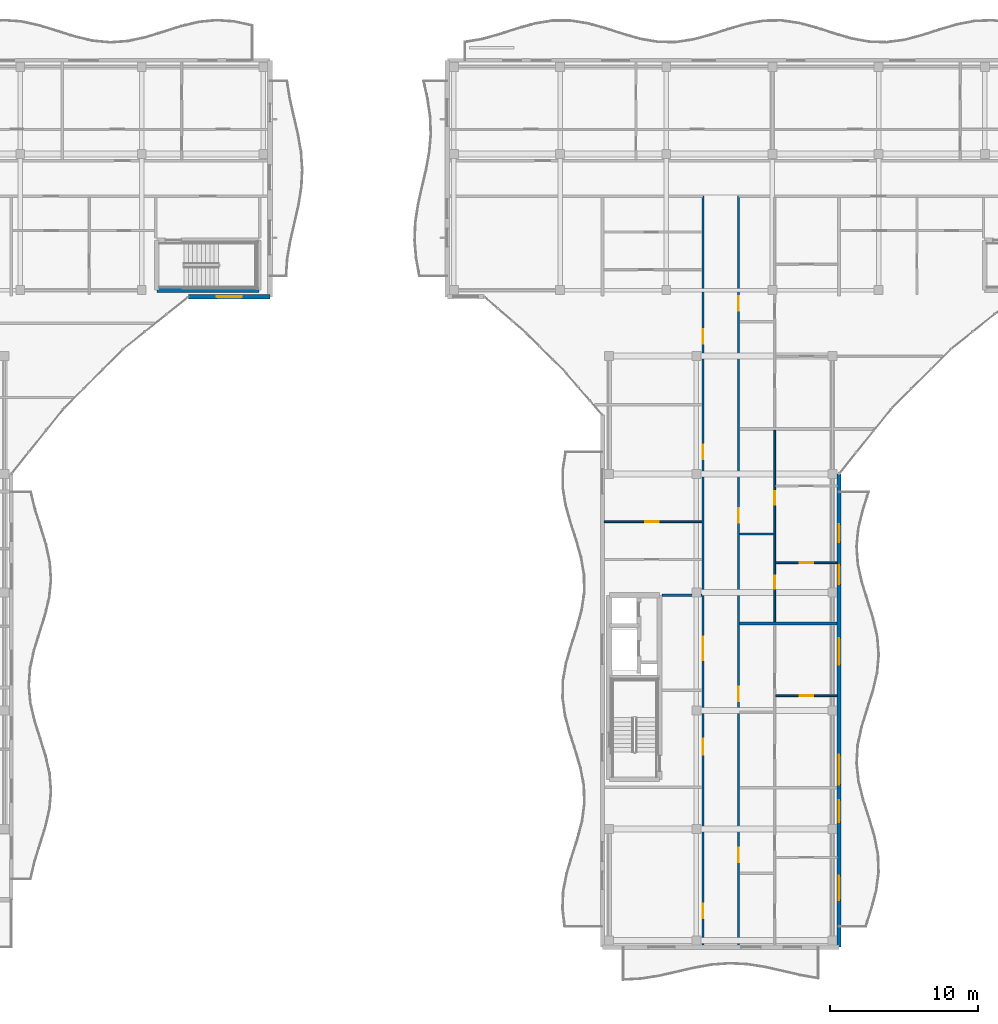
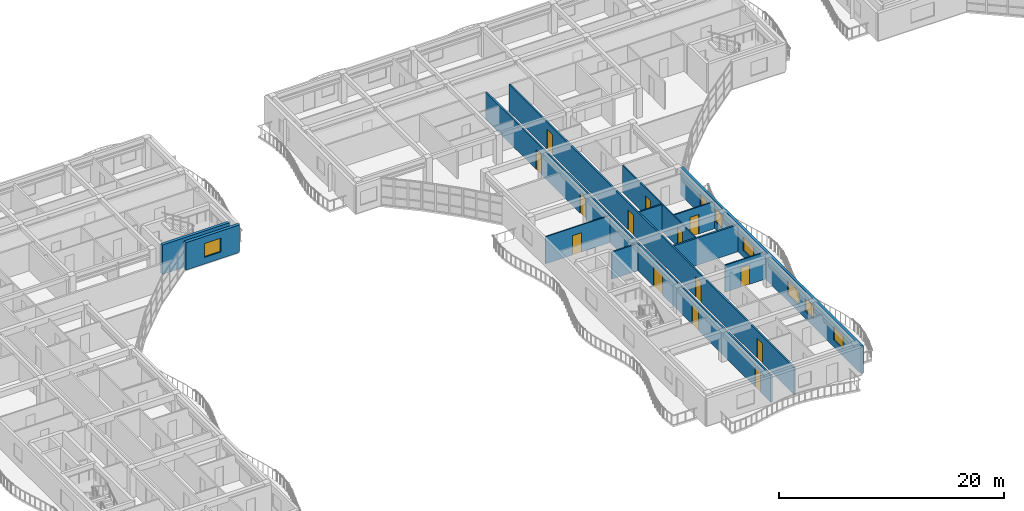
# One storey, part 38 of 71: 15 doors, 12 walls, 6 windows, 21 openings.
"""IFC4 building model written with IfcOpenShell, lengths in metres."""

from ifc_helpers import new_model, si_unit, direction, frame, frame_2d, origin, place, context, subcontext, project, spatial, rectangle, extrude, material, layer, layer_set, type_object, element, fill, save


model = new_model("IFC4")

# Units and contexts
model_context = context("Model", 3, precision=1e-05, world=origin(), true_north=direction((0.0, 1.0)))
body_context = subcontext(model_context, "Body", "Model", "MODEL_VIEW")
ifc_project = project(units=[si_unit("LENGTHUNIT", "METRE"), si_unit("AREAUNIT", "SQUARE_METRE"), si_unit("VOLUMEUNIT", "CUBIC_METRE"), si_unit("PLANEANGLEUNIT", "RADIAN"), si_unit("MASSUNIT", "GRAM", prefix="KILO")], contexts=[model_context])

# Site, building, storey
site_placement = place(None, origin())
site = spatial("IfcSite", under=ifc_project, at=site_placement, CompositionType="ELEMENT")
building_placement = place(site_placement, origin())
building = spatial("IfcBuilding", under=site, at=building_placement, Name="Keldmere Railside Commons", CompositionType="ELEMENT")
storey_placement = place(building_placement, frame((0.0, 0.0, 20.159912109375)))
storey = spatial("IfcBuildingStorey", under=building, at=storey_placement, Name="L06", CompositionType="ELEMENT", Elevation=20.159912109375)

# Wall
ifc_material_1 = material(Name="Acoustic Gypsum Board Partition", Category="gypsum")
ifc_layer_1 = layer(ifc_material_1, 0.179931640625, Name="Acoustic Demising Partition 180")
ifc_layer_set_1 = layer_set([ifc_layer_1], Name="Acoustic Gypsum Board Partition")
wall_type_1 = type_object("IfcWallType", Name="Acoustic Demising Partition 180", PredefinedType="PARTITIONING", material=ifc_layer_set_1)
wall_1_placement = place(storey_placement, frame((113.280029296875, 77.89990234375, 0.0), z_axis=(0.0, 0.0, 1.0), x_axis=(1.0, 0.0, 0.0)))
element("IfcWall", 1, at=wall_1_placement, inside=storey, type_object=wall_type_1, Name="IW-1 IW-L06-1153", PredefinedType="PARTITIONING", context=body_context, shape_type="SweptSolid", body=[
    extrude(rectangle(XDim=6.590087890625, YDim=0.179931640625, at=frame_2d((3.294921875, 0.0))), origin(), (0.0, 0.0, 1.0), 2.93505859375),
])

# Wall, opening, door
ifc_layer_2 = layer(ifc_material_1, 0.1201171875, Name="Apartment Interior Partition 120")
ifc_layer_set_2 = layer_set([ifc_layer_2], Name="Acoustic Gypsum Board Partition")
wall_type_2 = type_object("IfcWallType", Name="Apartment Interior Partition 120", PredefinedType="PARTITIONING", material=ifc_layer_set_2)
wall_2_placement = place(storey_placement, frame((115.719970703125, 73.0, 0.0), z_axis=(0.0, 0.0, 1.0), x_axis=(1.0, 0.0, 0.0)))
wall_2 = element("IfcWall", 2, at=wall_2_placement, inside=storey, type_object=wall_type_2, Name="IW-4 IW-L06-1160", PredefinedType="PARTITIONING", context=body_context, shape_type="SweptSolid", body=[
    extrude(rectangle(XDim=4.150146484375, YDim=0.1201171875, at=frame_2d((2.0751953125, 0.0))), origin(), (0.0, 0.0, 1.0), 2.93505859375),
])
opening_1_placement = place(wall_2_placement, frame((1.625, 0.0, 0.0)))
opening_1 = element("IfcOpeningElement", 3, at=opening_1_placement, cuts=wall_2, Name="Opening ID-01", PredefinedType="OPENING", context=body_context, shape_type="SweptSolid", body=[
    extrude(rectangle(XDim=0.89990234375, YDim=2.10009765625, at=frame_2d((0.449951171875, 1.050048828125))), frame((0.0, 0.070068359375, 0.0), z_axis=(0.0, -1.0, 0.0), x_axis=(1.0, 0.0, 0.0)), (0.0, 0.0, 1.0), 0.14013671875),
])
ifc_material_2 = material(Name="Engineered Oak Timber", Category="wood")
door_type_1 = type_object("IfcDoorType", Name="Primary Bedroom Door 900x2100", OperationType="NOTDEFINED", PredefinedType="DOOR", material=ifc_material_2)
door_1_placement = place(opening_1_placement, origin())
door_1 = element("IfcDoor", 4, at=door_1_placement, inside=storey, type_object=door_type_1, Name="ID-01 IDR-L06-1022", OperationType="SINGLE_SWING_RIGHT", OverallHeight=2.10009765625, OverallWidth=0.89990234375, PredefinedType="DOOR", context=body_context, shape_type="SweptSolid", body=[
    extrude(rectangle(XDim=0.89990234375, YDim=2.10009765625, at=frame_2d((0.449951171875, 1.050048828125))), frame((0.0, 0.02490234375, 0.0), z_axis=(0.0, -1.0, 0.0), x_axis=(1.0, 0.0, 0.0)), (0.0, 0.0, 1.0), 0.050048828125),
])
fill(opening_1, door_1)

# Wall, openings, doors
wall_3_placement = place(storey_placement, frame((115.659912109375, 77.989990234375, 0.0), z_axis=(0.0, 0.0, 1.0), x_axis=(0.0, 1.0, 0.0)))
wall_3 = element("IfcWall", 5, at=wall_3_placement, inside=storey, type_object=wall_type_2, Name="IW-4 IW-L06-1161", PredefinedType="PARTITIONING", context=body_context, shape_type="SweptSolid", body=[
    extrude(rectangle(XDim=12.969970703125, YDim=0.1201171875, at=frame_2d((6.48486328125, 0.0))), origin(), (0.0, 0.0, 1.0), 2.93505859375),
])
opening_2_placement = place(wall_3_placement, frame((2.2685546875, 0.0, 0.0)))
opening_2 = element("IfcOpeningElement", 6, at=opening_2_placement, cuts=wall_3, Name="Opening ID-04", PredefinedType="OPENING", context=body_context, shape_type="SweptSolid", body=[
    extrude(rectangle(XDim=0.860107421875, YDim=2.10009765625, at=frame_2d((0.43017578125, 1.050048828125))), frame((0.0, 0.070068359375, 0.0), z_axis=(0.0, -1.0, 0.0), x_axis=(1.0, 0.0, 0.0)), (0.0, 0.0, 1.0), 0.14013671875),
])
opening_3_placement = place(wall_3_placement, frame((7.929931640625, 0.0, 0.0)))
opening_3 = element("IfcOpeningElement", 7, at=opening_3_placement, cuts=wall_3, Name="Opening ID-03", PredefinedType="OPENING", context=body_context, shape_type="SweptSolid", body=[
    extrude(rectangle(XDim=0.919921875, YDim=2.10009765625, at=frame_2d((0.4599609375, 1.050048828125))), frame((0.0, 0.070068359375, 0.0), z_axis=(0.0, -1.0, 0.0), x_axis=(1.0, 0.0, 0.0)), (0.0, 0.0, 1.0), 0.14013671875),
])
door_type_2 = type_object("IfcDoorType", Name="Apartment Bathroom Door 860x2100", OperationType="NOTDEFINED", PredefinedType="DOOR", material=ifc_material_2)
door_2_placement = place(opening_2_placement, origin())
door_2 = element("IfcDoor", 8, at=door_2_placement, inside=storey, type_object=door_type_2, Name="ID-04 IDR-L06-1023", OperationType="SINGLE_SWING_LEFT", OverallHeight=2.10009765625, OverallWidth=0.860107421875, PredefinedType="DOOR", context=body_context, shape_type="SweptSolid", body=[
    extrude(rectangle(XDim=0.860107421875, YDim=2.10009765625, at=frame_2d((0.43017578125, 1.050048828125))), frame((0.0, 0.02490234375, 0.0), z_axis=(0.0, -1.0, 0.0), x_axis=(1.0, 0.0, 0.0)), (0.0, 0.0, 1.0), 0.050048828125),
])
fill(opening_2, door_2)
door_type_3 = type_object("IfcDoorType", Name="Kitchen Pocket-Frame Swing Door 920x2100", OperationType="NOTDEFINED", PredefinedType="DOOR", material=ifc_material_2)
door_3_placement = place(opening_3_placement, origin())
door_3 = element("IfcDoor", 9, at=door_3_placement, inside=storey, type_object=door_type_3, Name="ID-03 IDR-L06-1024", OperationType="SINGLE_SWING_RIGHT", OverallHeight=2.10009765625, OverallWidth=0.919921875, PredefinedType="DOOR", context=body_context, shape_type="SweptSolid", body=[
    extrude(rectangle(XDim=0.919921875, YDim=2.10009765625, at=frame_2d((0.4599609375, 1.050048828125))), frame((0.0, 0.02490234375, 0.0), z_axis=(0.0, -1.0, 0.0), x_axis=(1.0, 0.0, 0.0)), (0.0, 0.0, 1.0), 0.050048828125),
])
fill(opening_3, door_3)

# Wall, opening, door
wall_4_placement = place(storey_placement, frame((115.719970703125, 82.010009765625, 0.0), z_axis=(0.0, 0.0, 1.0), x_axis=(1.0, 0.0, 0.0)))
wall_4 = element("IfcWall", 10, at=wall_4_placement, inside=storey, type_object=wall_type_2, Name="IW-4 IW-L06-1163", PredefinedType="PARTITIONING", context=body_context, shape_type="SweptSolid", body=[
    extrude(rectangle(XDim=4.150146484375, YDim=0.1201171875, at=frame_2d((2.0751953125, 0.0))), origin(), (0.0, 0.0, 1.0), 2.93505859375),
])
opening_4_placement = place(wall_4_placement, frame((1.625, 0.0, 0.0)))
opening_4 = element("IfcOpeningElement", 11, at=opening_4_placement, cuts=wall_4, Name="Opening ID-01", PredefinedType="OPENING", context=body_context, shape_type="SweptSolid", body=[
    extrude(rectangle(XDim=0.89990234375, YDim=2.10009765625, at=frame_2d((0.449951171875, 1.050048828125))), frame((0.0, 0.070068359375, 0.0), z_axis=(0.0, -1.0, 0.0), x_axis=(1.0, 0.0, 0.0)), (0.0, 0.0, 1.0), 0.14013671875),
])
door_4_placement = place(opening_4_placement, origin())
door_4 = element("IfcDoor", 12, at=door_4_placement, inside=storey, type_object=door_type_1, Name="ID-01 IDR-L06-1026", OperationType="SINGLE_SWING_RIGHT", OverallHeight=2.10009765625, OverallWidth=0.89990234375, PredefinedType="DOOR", context=body_context, shape_type="SweptSolid", body=[
    extrude(rectangle(XDim=0.89990234375, YDim=2.10009765625, at=frame_2d((0.449951171875, 1.050048828125))), frame((0.0, 0.02490234375, 0.0), z_axis=(0.0, -1.0, 0.0), x_axis=(1.0, 0.0, 0.0)), (0.0, 0.0, 1.0), 0.050048828125),
])
fill(opening_4, door_4)

wall_5_placement = place(storey_placement, frame((104.1298828125, 84.780029296875, 0.0), z_axis=(0.0, 0.0, 1.0), x_axis=(1.0, 0.0, 0.0)))
wall_5 = element("IfcWall", 13, at=wall_5_placement, inside=storey, type_object=wall_type_2, Name="IW-4 IW-L06-1181", PredefinedType="PARTITIONING", context=body_context, shape_type="SweptSolid", body=[
    extrude(rectangle(XDim=6.590087890625, YDim=0.1201171875, at=frame_2d((3.294921875, 0.0))), origin(), (0.0, 0.0, 1.0), 2.93505859375),
])
opening_5_placement = place(wall_5_placement, frame((2.767822265625, 0.0, 0.0)))
opening_5 = element("IfcOpeningElement", 14, at=opening_5_placement, cuts=wall_5, Name="Opening ID-03", PredefinedType="OPENING", context=body_context, shape_type="SweptSolid", body=[
    extrude(rectangle(XDim=0.919921875, YDim=2.10009765625, at=frame_2d((0.4599609375, 1.050048828125))), frame((0.0, 0.070068359375, 0.0), z_axis=(0.0, -1.0, 0.0), x_axis=(1.0, 0.0, 0.0)), (0.0, 0.0, 1.0), 0.14013671875),
])
door_5_placement = place(opening_5_placement, origin())
door_5 = element("IfcDoor", 15, at=door_5_placement, inside=storey, type_object=door_type_3, Name="ID-03 IDR-L06-1049", OperationType="SINGLE_SWING_LEFT", OverallHeight=2.10009765625, OverallWidth=0.919921875, PredefinedType="DOOR", context=body_context, shape_type="SweptSolid", body=[
    extrude(rectangle(XDim=0.919921875, YDim=2.10009765625, at=frame_2d((0.4599609375, 1.050048828125))), frame((0.0, 0.02490234375, 0.0), z_axis=(0.0, -1.0, 0.0), x_axis=(1.0, 0.0, 0.0)), (0.0, 0.0, 1.0), 0.050048828125),
])
fill(opening_5, door_5)

# Wall, openings, doors
ifc_layer_3 = layer(ifc_material_1, 0.159912109375, Name="Corridor Fire Partition 160")
ifc_layer_set_3 = layer_set([ifc_layer_3], Name="Acoustic Gypsum Board Partition")
wall_type_3 = type_object("IfcWallType", Name="Corridor Fire Partition 160", PredefinedType="PARTITIONING", material=ifc_layer_set_3)
wall_6_placement = place(storey_placement, frame((110.800048828125, 56.159912109375, 0.0), z_axis=(0.0, 0.0, 1.0), x_axis=(0.0, 1.0, 0.0)))
wall_6 = element("IfcWall", 16, at=wall_6_placement, inside=storey, type_object=wall_type_3, Name="IW-2 IW-L06-1143", PredefinedType="PARTITIONING", context=body_context, shape_type="SweptSolid", body=[
    extrude(rectangle(XDim=50.64013671875, YDim=0.159912109375, at=frame_2d((25.320068359375, 0.0))), origin(), (0.0, 0.0, 1.0), 2.93505859375),
])
opening_6_placement = place(wall_6_placement, frame((12.840087890625, 0.0, 0.0)))
opening_6 = element("IfcOpeningElement", 17, at=opening_6_placement, cuts=wall_6, Name="Opening FD-2", PredefinedType="OPENING", context=body_context, shape_type="SweptSolid", body=[
    extrude(rectangle(XDim=1.10009765625, YDim=2.14990234375, at=frame_2d((0.550048828125, 1.074951171875))), frame((0.0, 0.08984375, 0.0), z_axis=(0.0, -1.0, 0.0), x_axis=(1.0, 0.0, 0.0)), (0.0, 0.0, 1.0), 0.179931640625),
])
opening_7_placement = place(wall_6_placement, frame((19.239990234375, 0.0, 0.0)))
opening_7 = element("IfcOpeningElement", 18, at=opening_7_placement, cuts=wall_6, Name="Opening FD-4", PredefinedType="OPENING", context=body_context, shape_type="SweptSolid", body=[
    extrude(rectangle(XDim=1.60009765625, YDim=2.14990234375, at=frame_2d((0.800048828125, 1.074951171875))), frame((0.0, 0.08984375, 0.0), z_axis=(0.0, -1.0, 0.0), x_axis=(1.0, 0.0, 0.0)), (0.0, 0.0, 1.0), 0.179931640625),
])
opening_8_placement = place(wall_6_placement, frame((1.800048828125, 0.0, 0.0)))
opening_8 = element("IfcOpeningElement", 19, at=opening_8_placement, cuts=wall_6, Name="Opening ID-08", PredefinedType="OPENING", context=body_context, shape_type="SweptSolid", body=[
    extrude(rectangle(XDim=0.9599609375, YDim=2.14990234375, at=frame_2d((0.47998046875, 1.074951171875))), frame((0.0, 0.08984375, 0.0), z_axis=(0.0, -1.0, 0.0), x_axis=(1.0, 0.0, 0.0)), (0.0, 0.0, 1.0), 0.179931640625),
])
opening_9_placement = place(wall_6_placement, frame((32.844970703125, 0.0, 0.0)))
opening_9 = element("IfcOpeningElement", 20, at=opening_9_placement, cuts=wall_6, Name="Opening FD-7", PredefinedType="OPENING", context=body_context, shape_type="SweptSolid", body=[
    extrude(rectangle(XDim=0.97998046875, YDim=2.14990234375, at=frame_2d((0.489990234375, 1.074951171875))), frame((0.0, 0.08984375, 0.0), z_axis=(0.0, -1.0, 0.0), x_axis=(1.0, 0.0, 0.0)), (0.0, 0.0, 1.0), 0.179931640625),
])
opening_10_placement = place(wall_6_placement, frame((40.655029296875, 0.0, 0.0)))
opening_10 = element("IfcOpeningElement", 21, at=opening_10_placement, cuts=wall_6, Name="Opening FD-7", PredefinedType="OPENING", context=body_context, shape_type="SweptSolid", body=[
    extrude(rectangle(XDim=0.97998046875, YDim=2.14990234375, at=frame_2d((0.489990234375, 1.074951171875))), frame((0.0, 0.08984375, 0.0), z_axis=(0.0, -1.0, 0.0), x_axis=(1.0, 0.0, 0.0)), (0.0, 0.0, 1.0), 0.179931640625),
])
door_type_4 = type_object("IfcDoorType", Name="Apartment Entrance Acoustic Fire Door 980x2150", OperationType="NOTDEFINED", PredefinedType="DOOR", material=ifc_material_2)
door_6_placement = place(opening_9_placement, origin())
door_6 = element("IfcDoor", 22, at=door_6_placement, inside=storey, type_object=door_type_4, Name="FD-7 IDR-L06-1050", OperationType="SINGLE_SWING_RIGHT", OverallHeight=2.14990234375, OverallWidth=0.97998046875, PredefinedType="DOOR", context=body_context, shape_type="SweptSolid", body=[
    extrude(rectangle(XDim=0.97998046875, YDim=2.14990234375, at=frame_2d((0.489990234375, 1.074951171875))), frame((0.0, 0.02490234375, 0.0), z_axis=(0.0, -1.0, 0.0), x_axis=(1.0, 0.0, 0.0)), (0.0, 0.0, 1.0), 0.050048828125),
])
fill(opening_9, door_6)
door_7_placement = place(opening_10_placement, origin())
door_7 = element("IfcDoor", 23, at=door_7_placement, inside=storey, type_object=door_type_4, Name="FD-7 IDR-L06-1053", OperationType="SINGLE_SWING_LEFT", OverallHeight=2.14990234375, OverallWidth=0.97998046875, PredefinedType="DOOR", context=body_context, shape_type="SweptSolid", body=[
    extrude(rectangle(XDim=0.97998046875, YDim=2.14990234375, at=frame_2d((0.489990234375, 1.074951171875))), frame((0.0, 0.02490234375, 0.0), z_axis=(0.0, -1.0, 0.0), x_axis=(1.0, 0.0, 0.0)), (0.0, 0.0, 1.0), 0.050048828125),
])
fill(opening_10, door_7)
ifc_material_3 = material(Name="Steel F-24 (S235)", Category="steel")
door_type_5 = type_object("IfcDoorType", Name="Corridor Cross-Compartment Double Fire Door 1600x2150", OperationType="DOUBLE_DOOR_SINGLE_SWING", PredefinedType="DOOR", material=ifc_material_3)
door_8_placement = place(opening_7_placement, origin())
door_8 = element("IfcDoor", 24, at=door_8_placement, inside=storey, type_object=door_type_5, Name="FD-4 IDR-L06-1014", OperationType="DOUBLE_DOOR_SINGLE_SWING", OverallHeight=2.14990234375, OverallWidth=1.60009765625, PredefinedType="DOOR", context=body_context, shape_type="SweptSolid", body=[
    extrude(rectangle(XDim=1.60009765625, YDim=2.14990234375, at=frame_2d((0.800048828125, 1.074951171875))), frame((0.0, 0.02490234375, 0.0), z_axis=(0.0, -1.0, 0.0), x_axis=(1.0, 0.0, 0.0)), (0.0, 0.0, 1.0), 0.050048828125),
])
fill(opening_7, door_8)
door_type_6 = type_object("IfcDoorType", Name="Firefighting Lobby Fire Door 1100x2150", OperationType="NOTDEFINED", PredefinedType="DOOR", material=ifc_material_3)
door_9_placement = place(opening_6_placement, origin())
door_9 = element("IfcDoor", 25, at=door_9_placement, inside=storey, type_object=door_type_6, Name="FD-2 IDR-L06-1013", OperationType="SINGLE_SWING_LEFT", OverallHeight=2.14990234375, OverallWidth=1.10009765625, PredefinedType="DOOR", context=body_context, shape_type="SweptSolid", body=[
    extrude(rectangle(XDim=1.10009765625, YDim=2.14990234375, at=frame_2d((0.550048828125, 1.074951171875))), frame((0.0, 0.02490234375, 0.0), z_axis=(0.0, -1.0, 0.0), x_axis=(1.0, 0.0, 0.0)), (0.0, 0.0, 1.0), 0.050048828125),
])
fill(opening_6, door_9)
door_type_7 = type_object("IfcDoorType", Name="Study & Meeting Room Door 960x2150", OperationType="NOTDEFINED", PredefinedType="DOOR", material=ifc_material_2)
door_10_placement = place(opening_8_placement, origin())
door_10 = element("IfcDoor", 26, at=door_10_placement, inside=storey, type_object=door_type_7, Name="ID-08 IDR-L06-1047", OperationType="SINGLE_SWING_LEFT", OverallHeight=2.14990234375, OverallWidth=0.9599609375, PredefinedType="DOOR", context=body_context, shape_type="SweptSolid", body=[
    extrude(rectangle(XDim=0.9599609375, YDim=2.14990234375, at=frame_2d((0.47998046875, 1.074951171875))), frame((0.0, 0.02490234375, 0.0), z_axis=(0.0, -1.0, 0.0), x_axis=(1.0, 0.0, 0.0)), (0.0, 0.0, 1.0), 0.050048828125),
])
fill(opening_8, door_10)

wall_7_placement = place(storey_placement, frame((113.199951171875, 56.159912109375, 0.0), z_axis=(0.0, 0.0, 1.0), x_axis=(0.0, 1.0, 0.0)))
wall_7 = element("IfcWall", 27, at=wall_7_placement, inside=storey, type_object=wall_type_3, Name="IW-2 IW-L06-1144", PredefinedType="PARTITIONING", context=body_context, shape_type="SweptSolid", body=[
    extrude(rectangle(XDim=50.64013671875, YDim=0.159912109375, at=frame_2d((25.320068359375, 0.0))), origin(), (0.0, 0.0, 1.0), 2.93505859375),
])
opening_11_placement = place(wall_7_placement, frame((5.590087890625, 0.0, 0.0)))
opening_11 = element("IfcOpeningElement", 28, at=opening_11_placement, cuts=wall_7, Name="Opening FD-7", PredefinedType="OPENING", context=body_context, shape_type="SweptSolid", body=[
    extrude(rectangle(XDim=0.97998046875, YDim=2.14990234375, at=frame_2d((0.489990234375, 1.074951171875))), frame((0.0, 0.08984375, 0.0), z_axis=(0.0, -1.0, 0.0), x_axis=(1.0, 0.0, 0.0)), (0.0, 0.0, 1.0), 0.179931640625),
])
opening_12_placement = place(wall_7_placement, frame((16.489990234375, 0.0, 0.0)))
opening_12 = element("IfcOpeningElement", 29, at=opening_12_placement, cuts=wall_7, Name="Opening FD-7", PredefinedType="OPENING", context=body_context, shape_type="SweptSolid", body=[
    extrude(rectangle(XDim=0.97998046875, YDim=2.14990234375, at=frame_2d((0.489990234375, 1.074951171875))), frame((0.0, 0.08984375, 0.0), z_axis=(0.0, -1.0, 0.0), x_axis=(1.0, 0.0, 0.0)), (0.0, 0.0, 1.0), 0.179931640625),
])
opening_13_placement = place(wall_7_placement, frame((28.550048828125, 0.0, 0.0)))
opening_13 = element("IfcOpeningElement", 30, at=opening_13_placement, cuts=wall_7, Name="Opening FD-7", PredefinedType="OPENING", context=body_context, shape_type="SweptSolid", body=[
    extrude(rectangle(XDim=0.97998046875, YDim=2.14990234375, at=frame_2d((0.489990234375, 1.074951171875))), frame((0.0, 0.08984375, 0.0), z_axis=(0.0, -1.0, 0.0), x_axis=(1.0, 0.0, 0.0)), (0.0, 0.0, 1.0), 0.179931640625),
])
opening_14_placement = place(wall_7_placement, frame((42.89990234375, 0.0, 0.0)))
opening_14 = element("IfcOpeningElement", 31, at=opening_14_placement, cuts=wall_7, Name="Opening FD-7", PredefinedType="OPENING", context=body_context, shape_type="SweptSolid", body=[
    extrude(rectangle(XDim=0.97998046875, YDim=2.14990234375, at=frame_2d((0.489990234375, 1.074951171875))), frame((0.0, 0.08984375, 0.0), z_axis=(0.0, -1.0, 0.0), x_axis=(1.0, 0.0, 0.0)), (0.0, 0.0, 1.0), 0.179931640625),
])
door_11_placement = place(opening_11_placement, origin())
door_11 = element("IfcDoor", 32, at=door_11_placement, inside=storey, type_object=door_type_4, Name="FD-7 IDR-L06-1017", OperationType="SINGLE_SWING_LEFT", OverallHeight=2.14990234375, OverallWidth=0.97998046875, PredefinedType="DOOR", context=body_context, shape_type="SweptSolid", body=[
    extrude(rectangle(XDim=0.97998046875, YDim=2.14990234375, at=frame_2d((0.489990234375, 1.074951171875))), frame((0.0, 0.02490234375, 0.0), z_axis=(0.0, -1.0, 0.0), x_axis=(1.0, 0.0, 0.0)), (0.0, 0.0, 1.0), 0.050048828125),
])
fill(opening_11, door_11)
door_12_placement = place(opening_12_placement, origin())
door_12 = element("IfcDoor", 33, at=door_12_placement, inside=storey, type_object=door_type_4, Name="FD-7 IDR-L06-1021", OperationType="SINGLE_SWING_LEFT", OverallHeight=2.14990234375, OverallWidth=0.97998046875, PredefinedType="DOOR", context=body_context, shape_type="SweptSolid", body=[
    extrude(rectangle(XDim=0.97998046875, YDim=2.14990234375, at=frame_2d((0.489990234375, 1.074951171875))), frame((0.0, 0.02490234375, 0.0), z_axis=(0.0, -1.0, 0.0), x_axis=(1.0, 0.0, 0.0)), (0.0, 0.0, 1.0), 0.050048828125),
])
fill(opening_12, door_12)
door_13_placement = place(opening_13_placement, origin())
door_13 = element("IfcDoor", 34, at=door_13_placement, inside=storey, type_object=door_type_4, Name="FD-7 IDR-L06-1025", OperationType="SINGLE_SWING_LEFT", OverallHeight=2.14990234375, OverallWidth=0.97998046875, PredefinedType="DOOR", context=body_context, shape_type="SweptSolid", body=[
    extrude(rectangle(XDim=0.97998046875, YDim=2.14990234375, at=frame_2d((0.489990234375, 1.074951171875))), frame((0.0, 0.02490234375, 0.0), z_axis=(0.0, -1.0, 0.0), x_axis=(1.0, 0.0, 0.0)), (0.0, 0.0, 1.0), 0.050048828125),
])
fill(opening_13, door_13)
door_14_placement = place(opening_14_placement, origin())
door_14 = element("IfcDoor", 35, at=door_14_placement, inside=storey, type_object=door_type_4, Name="FD-7 IDR-L06-1030", OperationType="SINGLE_SWING_RIGHT", OverallHeight=2.14990234375, OverallWidth=0.97998046875, PredefinedType="DOOR", context=body_context, shape_type="SweptSolid", body=[
    extrude(rectangle(XDim=0.97998046875, YDim=2.14990234375, at=frame_2d((0.489990234375, 1.074951171875))), frame((0.0, 0.02490234375, 0.0), z_axis=(0.0, -1.0, 0.0), x_axis=(1.0, 0.0, 0.0)), (0.0, 0.0, 1.0), 0.050048828125),
])
fill(opening_14, door_14)

# Wall, opening, window
ifc_material_4 = material(Name="Concrete H-35 (C35/45)", Category="concrete")
ifc_layer_4 = layer(ifc_material_4, 0.320068359375, Name="Exterior Shear Wall 320")
ifc_layer_set_4 = layer_set([ifc_layer_4], Name="Concrete H-35 (C35/45)")
wall_type_4 = type_object("IfcWallType", Name="Exterior Shear Wall 320", PredefinedType="SHEAR", material=ifc_layer_set_4)
wall_8_placement = place(storey_placement, frame((81.5, 100.0, 0.0), z_axis=(0.0, 0.0, 1.0), x_axis=(-1.0, 0.0, 0.0)))
wall_8 = element("IfcWall", 36, at=wall_8_placement, inside=storey, type_object=wall_type_4, Name="ESW-2 EXTC-L06-0373", PredefinedType="SHEAR", context=body_context, shape_type="SweptSolid", body=[
    extrude(rectangle(XDim=5.5, YDim=0.320068359375, at=frame_2d((2.75, 0.0))), origin(), (0.0, 0.0, 1.0), 2.97998046875),
])
opening_15_placement = place(wall_8_placement, frame((1.89990234375, 0.0, 0.719970703125)))
opening_15 = element("IfcOpeningElement", 37, at=opening_15_placement, cuts=wall_8, Name="Opening WN-20", PredefinedType="OPENING", context=body_context, shape_type="SweptSolid", body=[
    extrude(rectangle(XDim=1.699951171875, YDim=1.5, at=frame_2d((0.85009765625, 0.75))), frame((0.0, 0.169921875, 0.0), z_axis=(0.0, -1.0, 0.0), x_axis=(1.0, 0.0, 0.0)), (0.0, 0.0, 1.0), 0.340087890625),
])
ifc_material_5 = material(Name="Low-E Insulated Double Glazing", Category="glass")
window_type_1 = type_object("IfcWindowType", Name="Study Room Quiet Casement Window 1700x1500", PartitioningType="SINGLE_PANEL", PredefinedType="WINDOW", material=ifc_material_5)
window_1_placement = place(opening_15_placement, origin())
window_1 = element("IfcWindow", 38, at=window_1_placement, inside=storey, type_object=window_type_1, Name="WN-20 WIN-L06-0273", OverallHeight=1.5, OverallWidth=1.699951171875, PartitioningType="SINGLE_PANEL", PredefinedType="WINDOW", context=body_context, shape_type="SweptSolid", body=[
    extrude(rectangle(XDim=1.699951171875, YDim=1.5, at=frame_2d((0.85009765625, 0.75))), frame((0.0, 0.030029296875, 0.0), z_axis=(0.0, -1.0, 0.0), x_axis=(1.0, 0.0, 0.0)), (0.0, 0.0, 1.0), 0.06005859375),
])
fill(opening_15, window_1)

# Walls
ifc_layer_5 = layer(ifc_material_4, 0.300048828125, Name="Interior Shear Wall 300")
ifc_layer_set_5 = layer_set([ifc_layer_5], Name="Concrete H-35 (C35/45)")
wall_type_5 = type_object("IfcWallType", Name="Interior Shear Wall 300", PredefinedType="SHEAR", material=ifc_layer_set_5)
wall_9_placement = place(storey_placement, frame((73.85009765625, 100.449951171875, 0.0), z_axis=(0.0, 0.0, 1.0), x_axis=(1.0, 0.0, 0.0)))
element("IfcWall", 39, at=wall_9_placement, inside=storey, type_object=wall_type_5, Name="ISW-2 COREC2S-L06-0278", PredefinedType="SHEAR", context=body_context, shape_type="SweptSolid", body=[
    extrude(rectangle(XDim=6.89990234375, YDim=0.300048828125, at=frame_2d((3.449951171875, 0.0))), origin(), (0.0, 0.0, 1.0), 3.2001953125),
])
ifc_layer_6 = layer(ifc_material_1, 0.14990234375, Name="Lobby Rated Partition 150")
ifc_layer_set_6 = layer_set([ifc_layer_6], Name="Acoustic Gypsum Board Partition")
wall_type_6 = type_object("IfcWallType", Name="Lobby Rated Partition 150", PredefinedType="PARTITIONING", material=ifc_layer_set_6)
wall_10_placement = place(storey_placement, frame((108.0400390625, 79.800048828125, 0.0), z_axis=(0.0, 0.0, 1.0), x_axis=(1.0, 0.0, 0.0)))
element("IfcWall", 40, at=wall_10_placement, inside=storey, type_object=wall_type_6, Name="IW-3 IW-L06-1142", PredefinedType="PARTITIONING", context=body_context, shape_type="SweptSolid", body=[
    extrude(rectangle(XDim=2.679931640625, YDim=0.14990234375, at=frame_2d((1.33984375, 0.0))), origin(), (0.0, 0.0, 1.0), 2.93505859375),
])

# Wall, openings, door, windows
ifc_material_6 = material(Name="Terracotta Brick Masonry", Category="masonry")
ifc_layer_7 = layer(ifc_material_6, 0.260009765625, Name="Terracotta Cavity Wall 260")
ifc_layer_set_7 = layer_set([ifc_layer_7], Name="Terracotta Brick Masonry")
wall_type_7 = type_object("IfcWallType", Name="Terracotta Cavity Wall 260", PredefinedType="SOLIDWALL", material=ifc_layer_set_7)
wall_11_placement = place(storey_placement, frame((120.0, 88.0, 0.0), z_axis=(0.0, 0.0, 1.0), x_axis=(0.0, -1.0, 0.0)))
wall_11 = element("IfcWall", 41, at=wall_11_placement, inside=storey, type_object=wall_type_7, Name="EW-1 EXTB-L06-0630", PredefinedType="SOLIDWALL", context=body_context, shape_type="SweptSolid", body=[
    extrude(rectangle(XDim=32.0, YDim=0.260009765625, at=frame_2d((16.0, 0.0))), origin(), (0.0, 0.0, 1.0), 2.97998046875),
])
opening_16_placement = place(wall_11_placement, frame((3.39990234375, 0.0, 0.0)))
opening_16 = element("IfcOpeningElement", 42, at=opening_16_placement, cuts=wall_11, Name="Opening BD-01", PredefinedType="OPENING", context=body_context, shape_type="SweptSolid", body=[
    extrude(rectangle(XDim=1.199951171875, YDim=2.199951171875, at=frame_2d((0.60009765625, 1.10009765625))), frame((0.0, 0.139892578125, 0.0), z_axis=(0.0, -1.0, 0.0), x_axis=(1.0, 0.0, 0.0)), (0.0, 0.0, 1.0), 0.280029296875),
])
opening_17_placement = place(wall_11_placement, frame((6.14990234375, 0.0, 0.820068359375)))
opening_17 = element("IfcOpeningElement", 43, at=opening_17_placement, cuts=wall_11, Name="Opening WN-10", PredefinedType="OPENING", context=body_context, shape_type="SweptSolid", body=[
    extrude(rectangle(XDim=1.300048828125, YDim=1.39990234375, at=frame_2d((0.64990234375, 0.699951171875))), frame((0.0, 0.139892578125, 0.0), z_axis=(0.0, -1.0, 0.0), x_axis=(1.0, 0.0, 0.0)), (0.0, 0.0, 1.0), 0.280029296875),
])
opening_18_placement = place(wall_11_placement, frame((11.10009765625, 0.0, 0.719970703125)))
opening_18 = element("IfcOpeningElement", 44, at=opening_18_placement, cuts=wall_11, Name="Opening WN-01", PredefinedType="OPENING", context=body_context, shape_type="SweptSolid", body=[
    extrude(rectangle(XDim=1.800048828125, YDim=1.5, at=frame_2d((0.89990234375, 0.75))), frame((0.0, 0.139892578125, 0.0), z_axis=(0.0, -1.0, 0.0), x_axis=(1.0, 0.0, 0.0)), (0.0, 0.0, 1.0), 0.280029296875),
])
opening_19_placement = place(wall_11_placement, frame((19.0, 0.0, 0.719970703125)))
opening_19 = element("IfcOpeningElement", 45, at=opening_19_placement, cuts=wall_11, Name="Opening WN-02", PredefinedType="OPENING", context=body_context, shape_type="SweptSolid", body=[
    extrude(rectangle(XDim=2.0, YDim=1.5, at=frame_2d((1.0, 0.75))), frame((0.0, 0.139892578125, 0.0), z_axis=(0.0, -1.0, 0.0), x_axis=(1.0, 0.0, 0.0)), (0.0, 0.0, 1.0), 0.280029296875),
])
opening_20_placement = place(wall_11_placement, frame((27.175048828125, 0.0, 0.77001953125)))
opening_20 = element("IfcOpeningElement", 46, at=opening_20_placement, cuts=wall_11, Name="Opening WN-03", PredefinedType="OPENING", context=body_context, shape_type="SweptSolid", body=[
    extrude(rectangle(XDim=1.64990234375, YDim=1.449951171875, at=frame_2d((0.824951171875, 0.72509765625))), frame((0.0, 0.139892578125, 0.0), z_axis=(0.0, -1.0, 0.0), x_axis=(1.0, 0.0, 0.0)), (0.0, 0.0, 1.0), 0.280029296875),
])
opening_21_placement = place(wall_11_placement, frame((22.05078125, 0.0, 0.820068359375)))
opening_21 = element("IfcOpeningElement", 47, at=opening_21_placement, cuts=wall_11, Name="Opening WN-06", PredefinedType="OPENING", context=body_context, shape_type="SweptSolid", body=[
    extrude(rectangle(XDim=1.5, YDim=1.39990234375, at=frame_2d((0.75, 0.699951171875))), frame((0.0, 0.139892578125, 0.0), z_axis=(0.0, -1.0, 0.0), x_axis=(1.0, 0.0, 0.0)), (0.0, 0.0, 1.0), 0.280029296875),
])
ifc_material_7 = material(Name="Thermally Broken Aluminium", Category="aluminium")
door_type_8 = type_object("IfcDoorType", Name="Apartment Living Wave-Balcony Glazed Door 1200x2200", OperationType="NOTDEFINED", PredefinedType="DOOR", material=ifc_material_7)
door_15_placement = place(opening_16_placement, origin())
door_15 = element("IfcDoor", 48, at=door_15_placement, inside=storey, type_object=door_type_8, Name="BD-01 DR-L06-0169", OperationType="SINGLE_SWING_LEFT", OverallHeight=2.199951171875, OverallWidth=1.199951171875, PredefinedType="DOOR", context=body_context, shape_type="SweptSolid", body=[
    extrude(rectangle(XDim=1.199951171875, YDim=2.199951171875, at=frame_2d((0.60009765625, 1.10009765625))), frame((0.0, 0.02490234375, 0.0), z_axis=(0.0, -1.0, 0.0), x_axis=(1.0, 0.0, 0.0)), (0.0, 0.0, 1.0), 0.050048828125),
])
fill(opening_16, door_15)
window_type_2 = type_object("IfcWindowType", Name="Living Room East Shaded Window 1650x1450", PartitioningType="SINGLE_PANEL", PredefinedType="WINDOW", material=ifc_material_5)
window_2_placement = place(opening_20_placement, origin())
window_2 = element("IfcWindow", 49, at=window_2_placement, inside=storey, type_object=window_type_2, Name="WN-03 WIN-L06-0459", OverallHeight=1.449951171875, OverallWidth=1.64990234375, PartitioningType="SINGLE_PANEL", PredefinedType="WINDOW", context=body_context, shape_type="SweptSolid", body=[
    extrude(rectangle(XDim=1.64990234375, YDim=1.449951171875, at=frame_2d((0.824951171875, 0.72509765625))), frame((0.0, 0.030029296875, 0.0), z_axis=(0.0, -1.0, 0.0), x_axis=(1.0, 0.0, 0.0)), (0.0, 0.0, 1.0), 0.06005859375),
])
fill(opening_20, window_2)
window_type_3 = type_object("IfcWindowType", Name="Living Room North Casement Window 1800x1500", PartitioningType="SINGLE_PANEL", PredefinedType="WINDOW", material=ifc_material_5)
window_3_placement = place(opening_18_placement, origin())
window_3 = element("IfcWindow", 50, at=window_3_placement, inside=storey, type_object=window_type_3, Name="WN-01 WIN-L06-0457", OverallHeight=1.5, OverallWidth=1.800048828125, PartitioningType="SINGLE_PANEL", PredefinedType="WINDOW", context=body_context, shape_type="SweptSolid", body=[
    extrude(rectangle(XDim=1.800048828125, YDim=1.5, at=frame_2d((0.89990234375, 0.75))), frame((0.0, 0.030029296875, 0.0), z_axis=(0.0, -1.0, 0.0), x_axis=(1.0, 0.0, 0.0)), (0.0, 0.0, 1.0), 0.06005859375),
])
fill(opening_18, window_3)
window_type_4 = type_object("IfcWindowType", Name="Living Room South Casement Window 2000x1500", PartitioningType="SINGLE_PANEL", PredefinedType="WINDOW", material=ifc_material_5)
window_4_placement = place(opening_19_placement, origin())
window_4 = element("IfcWindow", 51, at=window_4_placement, inside=storey, type_object=window_type_4, Name="WN-02 WIN-L06-0458", OverallHeight=1.5, OverallWidth=2.0, PartitioningType="SINGLE_PANEL", PredefinedType="WINDOW", context=body_context, shape_type="SweptSolid", body=[
    extrude(rectangle(XDim=2.0, YDim=1.5, at=frame_2d((1.0, 0.75))), frame((0.0, 0.030029296875, 0.0), z_axis=(0.0, -1.0, 0.0), x_axis=(1.0, 0.0, 0.0)), (0.0, 0.0, 1.0), 0.06005859375),
])
fill(opening_19, window_4)
window_type_5 = type_object("IfcWindowType", Name="Primary Bedroom North Window 1500x1400", PartitioningType="SINGLE_PANEL", PredefinedType="WINDOW", material=ifc_material_5)
window_5_placement = place(opening_21_placement, origin())
window_5 = element("IfcWindow", 52, at=window_5_placement, inside=storey, type_object=window_type_5, Name="WN-06 WIN-L06-9053", OverallHeight=1.39990234375, OverallWidth=1.5, PartitioningType="SINGLE_PANEL", PredefinedType="WINDOW", context=body_context, shape_type="SweptSolid", body=[
    extrude(rectangle(XDim=1.5, YDim=1.39990234375, at=frame_2d((0.75, 0.699951171875))), frame((0.0, 0.030029296875, 0.0), z_axis=(0.0, -1.0, 0.0), x_axis=(1.0, 0.0, 0.0)), (0.0, 0.0, 1.0), 0.06005859375),
])
fill(opening_21, window_5)
window_type_6 = type_object("IfcWindowType", Name="Secondary Bedroom Court Window 1300x1400", PartitioningType="SINGLE_PANEL", PredefinedType="WINDOW", material=ifc_material_5)
window_6_placement = place(opening_17_placement, origin())
window_6 = element("IfcWindow", 53, at=window_6_placement, inside=storey, type_object=window_type_6, Name="WN-10 WIN-L06-0456", OverallHeight=1.39990234375, OverallWidth=1.300048828125, PartitioningType="SINGLE_PANEL", PredefinedType="WINDOW", context=body_context, shape_type="SweptSolid", body=[
    extrude(rectangle(XDim=1.300048828125, YDim=1.39990234375, at=frame_2d((0.64990234375, 0.699951171875))), frame((0.0, 0.030029296875, 0.0), z_axis=(0.0, -1.0, 0.0), x_axis=(1.0, 0.0, 0.0)), (0.0, 0.0, 1.0), 0.06005859375),
])
fill(opening_17, window_6)

# Wall
ifc_layer_8 = layer(ifc_material_1, 0.139892578125, Name="Wet-Room Sanitary Partition 140")
ifc_layer_set_8 = layer_set([ifc_layer_8], Name="Acoustic Gypsum Board Partition")
wall_type_8 = type_object("IfcWallType", Name="Wet-Room Sanitary Partition 140", PredefinedType="PARTITIONING", material=ifc_layer_set_8)
wall_12_placement = place(storey_placement, frame((113.280029296875, 83.9599609375, 0.0), z_axis=(0.0, 0.0, 1.0), x_axis=(1.0, 0.0, 0.0)))
element("IfcWall", 54, at=wall_12_placement, inside=storey, type_object=wall_type_8, Name="IW-5 IW-L06-1162", PredefinedType="PARTITIONING", context=body_context, shape_type="SweptSolid", body=[
    extrude(rectangle(XDim=2.320068359375, YDim=0.139892578125, at=frame_2d((1.16015625, 0.0))), origin(), (0.0, 0.0, 1.0), 2.93505859375),
])

save(model, "model.ifc")
